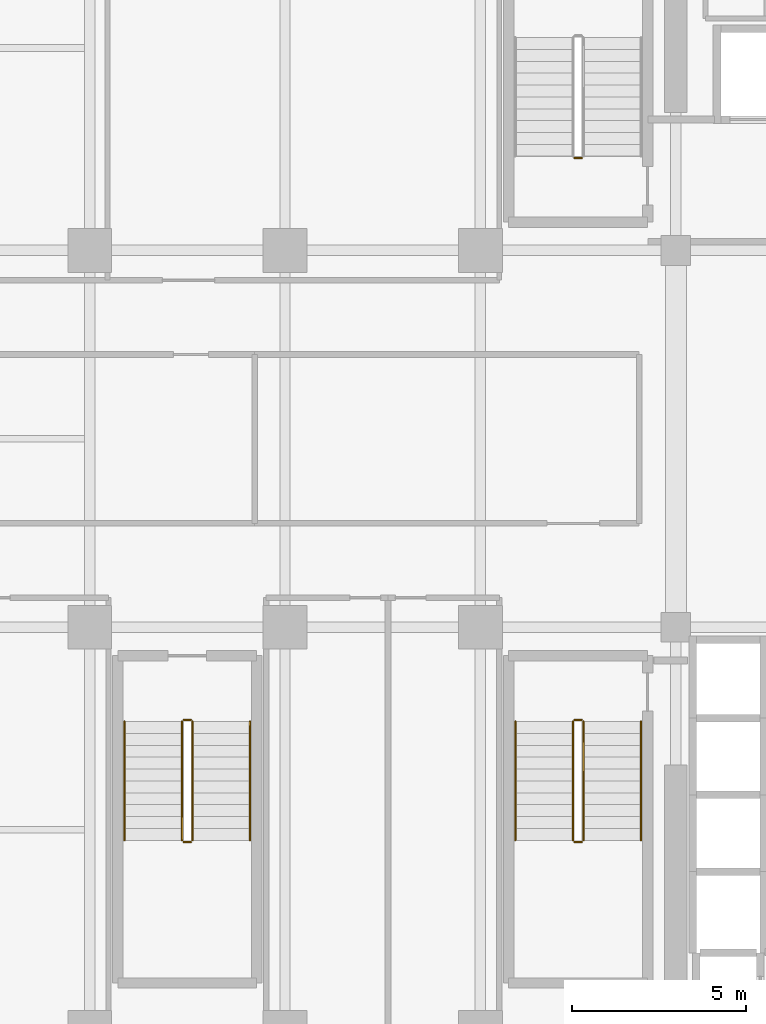
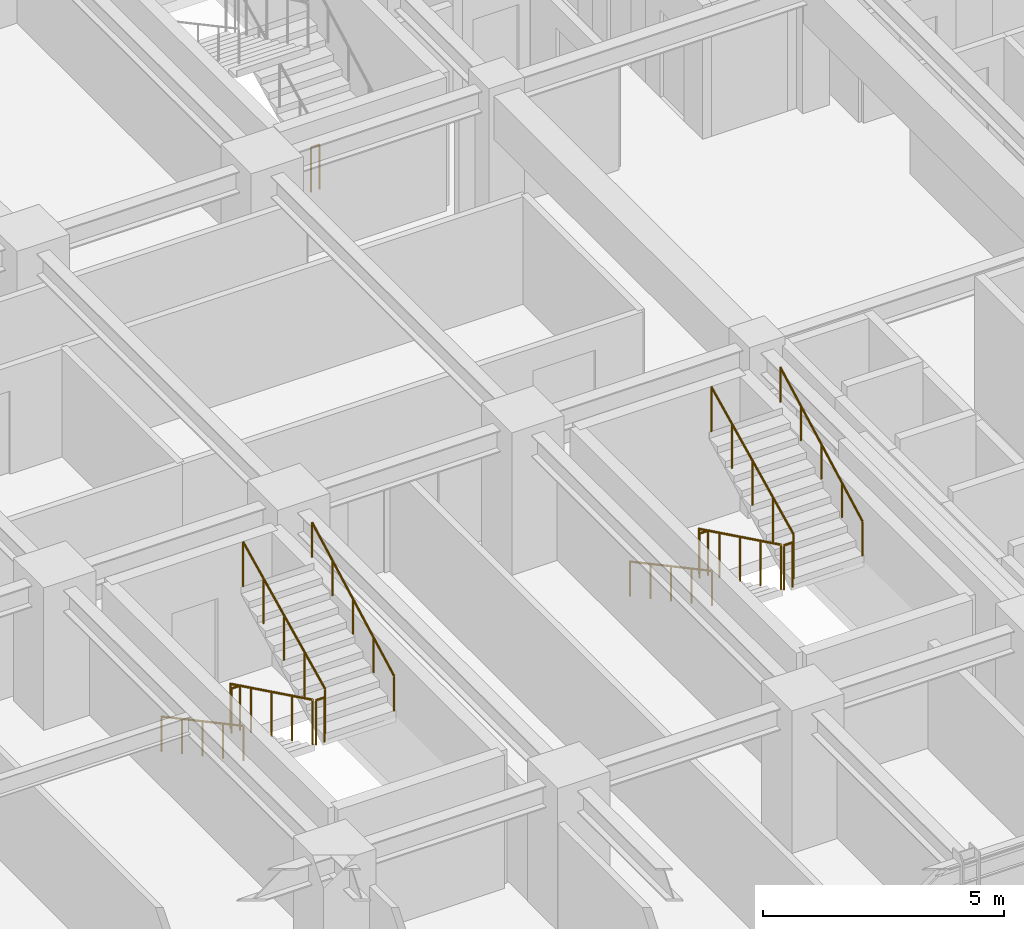
# One storey, part 38 of 41: 13 railings.
"""IFC4 building model written with IfcOpenShell, lengths in metres."""

from ifc_helpers import new_model, si_unit, direction, frame, origin, origin_2d, place, context, subcontext, project, spatial, circle, extrude, material, type_object, element, save


model = new_model("IFC4")

# Units and contexts
model_context = context("Model", 3, precision=1e-05, world=origin(), true_north=direction((0.0, 1.0)))
body_context = subcontext(model_context, "Body", "Model", "MODEL_VIEW")
ifc_project = project(units=[si_unit("LENGTHUNIT", "METRE"), si_unit("AREAUNIT", "SQUARE_METRE"), si_unit("VOLUMEUNIT", "CUBIC_METRE"), si_unit("PLANEANGLEUNIT", "RADIAN"), si_unit("MASSUNIT", "GRAM", prefix="KILO")], contexts=[model_context])

# Site, building, storey
site_placement = place(None, origin())
site = spatial("IfcSite", under=ifc_project, at=site_placement, CompositionType="ELEMENT")
building_placement = place(site_placement, origin())
building = spatial("IfcBuilding", under=site, at=building_placement, Name="Nahalor Promenade Grand Hotel", CompositionType="ELEMENT")
storey_placement = place(building_placement, frame((0.0, 0.0, 113.85009765625)))
storey = spatial("IfcBuildingStorey", under=building, at=storey_placement, Name="L28", CompositionType="ELEMENT", Elevation=113.85009765625)

# Railings
ifc_material = material(Name="Steel S355JR", Category="steel")
railing_type_1 = type_object("IfcRailingType", Name="Steel Stair Guardrail 1150 mm", PredefinedType="GUARDRAIL", material=ifc_material)
railing_1_placement = place(storey_placement, frame((5.699951171875, 8.050048828125, 0.0)))
element("IfcRailing", 1, at=railing_1_placement, inside=storey, type_object=railing_type_1, Name="L28 ST1 stair guard 4", PredefinedType="GUARDRAIL", context=body_context, shape_type="SweptSolid", body=[
    extrude(circle(Radius=0.024048, at=origin_2d()), frame((0.0, 0.0, 1.1259765625), z_axis=(-1.0, 0.0, 0.0), x_axis=(0.0, -1.0, 0.0)), (0.0, 0.0, 1.0), 0.199951171875),
    extrude(circle(Radius=0.020996, at=origin_2d()), origin(), (0.0, 0.0, 1.0), 1.099853515625),
    extrude(circle(Radius=0.020996, at=origin_2d()), frame((-0.199951171875, 0.0, 0.0)), (0.0, 0.0, 1.0), 1.099853515625),
])
railing_2_placement = place(storey_placement, frame((5.449951171875, -8.10009765625, 0.165771484375)))
element("IfcRailing", 2, at=railing_2_placement, inside=storey, type_object=railing_type_1, Name="L28 ST2 stair guard 1", PredefinedType="GUARDRAIL", context=body_context, shape_type="SweptSolid", body=[
    extrude(circle(Radius=0.024048, at=origin_2d()), frame((0.0, 0.0, 1.1259765625), z_axis=(0.0, -0.898696488221, 0.438571114028), x_axis=(1.0, 0.0, 0.0)), (0.0, 0.0, 1.0), 3.783203125),
    extrude(circle(Radius=0.020996, at=origin_2d()), origin(), (0.0, 0.0, 1.0), 1.099853515625),
    extrude(circle(Radius=0.020996, at=origin_2d()), frame((0.0, -0.85009765625, 0.414794921875)), (0.0, 0.0, 1.0), 1.099853515625),
    extrude(circle(Radius=0.020996, at=origin_2d()), frame((0.0, -1.699951171875, 0.82958984375)), (0.0, 0.0, 1.0), 1.099853515625),
    extrude(circle(Radius=0.020996, at=origin_2d()), frame((0.0, -2.5498046875, 1.244384765625)), (0.0, 0.0, 1.0), 1.099853515625),
    extrude(circle(Radius=0.020996, at=origin_2d()), frame((0.0, -3.39990234375, 1.6591796875)), (0.0, 0.0, 1.0), 1.099853515625),
])
railing_3_placement = place(storey_placement, frame((5.5, -11.550048828125, 1.824951171875)))
element("IfcRailing", 3, at=railing_3_placement, inside=storey, type_object=railing_type_1, Name="L28 ST2 stair guard 2", PredefinedType="GUARDRAIL", context=body_context, shape_type="SweptSolid", body=[
    extrude(circle(Radius=0.024048, at=origin_2d()), frame((0.0, 0.0, 1.1259765625), z_axis=(1.0, 0.0, 0.0), x_axis=(0.0, 1.0, 0.0)), (0.0, 0.0, 1.0), 0.199951171875),
    extrude(circle(Radius=0.020996, at=origin_2d()), origin(), (0.0, 0.0, 1.0), 1.099853515625),
    extrude(circle(Radius=0.020996, at=origin_2d()), frame((0.199951171875, 0.0, 0.0)), (0.0, 0.0, 1.0), 1.099853515625),
])
railing_4_placement = place(storey_placement, frame((5.75, -11.5, 1.99072265625)))
element("IfcRailing", 4, at=railing_4_placement, inside=storey, type_object=railing_type_1, Name="L28 ST2 stair guard 3", PredefinedType="GUARDRAIL", context=body_context, shape_type="SweptSolid", body=[
    extrude(circle(Radius=0.024048, at=origin_2d()), frame((0.0, 0.0, 1.1259765625), z_axis=(0.0, 0.898696488221, 0.438571114028), x_axis=(-1.0, 0.0, 0.0)), (0.0, 0.0, 1.0), 3.783203125),
    extrude(circle(Radius=0.020996, at=origin_2d()), origin(), (0.0, 0.0, 1.0), 1.099853515625),
    extrude(circle(Radius=0.020996, at=origin_2d()), frame((0.0, 0.85009765625, 0.414794921875)), (0.0, 0.0, 1.0), 1.099853515625),
    extrude(circle(Radius=0.020996, at=origin_2d()), frame((0.0, 1.699951171875, 0.82958984375)), (0.0, 0.0, 1.0), 1.099853515625),
    extrude(circle(Radius=0.020996, at=origin_2d()), frame((0.0, 2.5498046875, 1.244384765625)), (0.0, 0.0, 1.0), 1.099853515625),
    extrude(circle(Radius=0.020996, at=origin_2d()), frame((0.0, 3.39990234375, 1.6591796875)), (0.0, 0.0, 1.0), 1.099853515625),
])
railing_5_placement = place(storey_placement, frame((5.5, -8.050048828125, 0.0)))
element("IfcRailing", 5, at=railing_5_placement, inside=storey, type_object=railing_type_1, Name="L28 ST2 stair guard 4", PredefinedType="GUARDRAIL", context=body_context, shape_type="SweptSolid", body=[
    extrude(circle(Radius=0.024048, at=origin_2d()), frame((0.0, 0.0, 1.1259765625), z_axis=(1.0, 0.0, 0.0), x_axis=(0.0, 1.0, 0.0)), (0.0, 0.0, 1.0), 0.199951171875),
    extrude(circle(Radius=0.020996, at=origin_2d()), origin(), (0.0, 0.0, 1.0), 1.099853515625),
    extrude(circle(Radius=0.020996, at=origin_2d()), frame((0.199951171875, 0.0, 0.0)), (0.0, 0.0, 1.0), 1.099853515625),
])
railing_6_placement = place(storey_placement, frame((-5.75, -8.10009765625, 0.165771484375)))
element("IfcRailing", 6, at=railing_6_placement, inside=storey, type_object=railing_type_1, Name="L28 ST3 stair guard 1", PredefinedType="GUARDRAIL", context=body_context, shape_type="SweptSolid", body=[
    extrude(circle(Radius=0.024048, at=origin_2d()), frame((0.0, 0.0, 1.1259765625), z_axis=(0.0, -0.898696488221, 0.438571114028), x_axis=(1.0, 0.0, 0.0)), (0.0, 0.0, 1.0), 3.783203125),
    extrude(circle(Radius=0.020996, at=origin_2d()), origin(), (0.0, 0.0, 1.0), 1.099853515625),
    extrude(circle(Radius=0.020996, at=origin_2d()), frame((0.0, -0.85009765625, 0.414794921875)), (0.0, 0.0, 1.0), 1.099853515625),
    extrude(circle(Radius=0.020996, at=origin_2d()), frame((0.0, -1.699951171875, 0.82958984375)), (0.0, 0.0, 1.0), 1.099853515625),
    extrude(circle(Radius=0.020996, at=origin_2d()), frame((0.0, -2.5498046875, 1.244384765625)), (0.0, 0.0, 1.0), 1.099853515625),
    extrude(circle(Radius=0.020996, at=origin_2d()), frame((0.0, -3.39990234375, 1.6591796875)), (0.0, 0.0, 1.0), 1.099853515625),
])
railing_7_placement = place(storey_placement, frame((-5.699951171875, -11.550048828125, 1.824951171875)))
element("IfcRailing", 7, at=railing_7_placement, inside=storey, type_object=railing_type_1, Name="L28 ST3 stair guard 2", PredefinedType="GUARDRAIL", context=body_context, shape_type="SweptSolid", body=[
    extrude(circle(Radius=0.024048, at=origin_2d()), frame((0.0, 0.0, 1.1259765625), z_axis=(1.0, 0.0, 0.0), x_axis=(0.0, 1.0, 0.0)), (0.0, 0.0, 1.0), 0.199951171875),
    extrude(circle(Radius=0.020996, at=origin_2d()), origin(), (0.0, 0.0, 1.0), 1.099853515625),
    extrude(circle(Radius=0.020996, at=origin_2d()), frame((0.199951171875, 0.0, 0.0)), (0.0, 0.0, 1.0), 1.099853515625),
])
railing_8_placement = place(storey_placement, frame((-5.449951171875, -11.5, 1.99072265625)))
element("IfcRailing", 8, at=railing_8_placement, inside=storey, type_object=railing_type_1, Name="L28 ST3 stair guard 3", PredefinedType="GUARDRAIL", context=body_context, shape_type="SweptSolid", body=[
    extrude(circle(Radius=0.024048, at=origin_2d()), frame((0.0, 0.0, 1.1259765625), z_axis=(0.0, 0.898696488221, 0.438571114028), x_axis=(-1.0, 0.0, 0.0)), (0.0, 0.0, 1.0), 3.783203125),
    extrude(circle(Radius=0.020996, at=origin_2d()), origin(), (0.0, 0.0, 1.0), 1.099853515625),
    extrude(circle(Radius=0.020996, at=origin_2d()), frame((0.0, 0.85009765625, 0.414794921875)), (0.0, 0.0, 1.0), 1.099853515625),
    extrude(circle(Radius=0.020996, at=origin_2d()), frame((0.0, 1.699951171875, 0.82958984375)), (0.0, 0.0, 1.0), 1.099853515625),
    extrude(circle(Radius=0.020996, at=origin_2d()), frame((0.0, 2.5498046875, 1.244384765625)), (0.0, 0.0, 1.0), 1.099853515625),
    extrude(circle(Radius=0.020996, at=origin_2d()), frame((0.0, 3.39990234375, 1.6591796875)), (0.0, 0.0, 1.0), 1.099853515625),
])
railing_9_placement = place(storey_placement, frame((-5.699951171875, -8.050048828125, 0.0)))
element("IfcRailing", 9, at=railing_9_placement, inside=storey, type_object=railing_type_1, Name="L28 ST3 stair guard 4", PredefinedType="GUARDRAIL", context=body_context, shape_type="SweptSolid", body=[
    extrude(circle(Radius=0.024048, at=origin_2d()), frame((0.0, 0.0, 1.1259765625), z_axis=(1.0, 0.0, 0.0), x_axis=(0.0, 1.0, 0.0)), (0.0, 0.0, 1.0), 0.199951171875),
    extrude(circle(Radius=0.020996, at=origin_2d()), origin(), (0.0, 0.0, 1.0), 1.099853515625),
    extrude(circle(Radius=0.020996, at=origin_2d()), frame((0.199951171875, 0.0, 0.0)), (0.0, 0.0, 1.0), 1.099853515625),
])
railing_type_2 = type_object("IfcRailingType", Name="Steel Stair Handrail 900 mm", PredefinedType="HANDRAIL", material=ifc_material)
railing_10_placement = place(storey_placement, frame((3.800048828125, -8.10009765625, 0.165771484375)))
element("IfcRailing", 10, at=railing_10_placement, inside=storey, type_object=railing_type_2, Name="L28 ST2 stair handrail 1", PredefinedType="HANDRAIL", context=body_context, shape_type="SweptSolid", body=[
    extrude(circle(Radius=0.024048, at=origin_2d()), frame((0.0, 0.0, 0.8759765625), z_axis=(0.0, -0.881094038095, 0.47294111265), x_axis=(1.0, 0.0, 0.0)), (0.0, 0.0, 1.0), 3.858642578125),
    extrude(circle(Radius=0.020996, at=origin_2d()), origin(), (0.0, 0.0, 1.0), 0.849853515625),
    extrude(circle(Radius=0.020996, at=origin_2d()), frame((0.0, -0.85009765625, 0.456298828125)), (0.0, 0.0, 1.0), 0.849853515625),
    extrude(circle(Radius=0.020996, at=origin_2d()), frame((0.0, -1.699951171875, 0.91259765625)), (0.0, 0.0, 1.0), 0.849853515625),
    extrude(circle(Radius=0.020996, at=origin_2d()), frame((0.0, -2.5498046875, 1.36865234375)), (0.0, 0.0, 1.0), 0.849853515625),
    extrude(circle(Radius=0.020996, at=origin_2d()), frame((0.0, -3.39990234375, 1.824951171875)), (0.0, 0.0, 1.0), 0.849853515625),
])
railing_11_placement = place(storey_placement, frame((7.39990234375, -11.5, 1.99072265625)))
element("IfcRailing", 11, at=railing_11_placement, inside=storey, type_object=railing_type_2, Name="L28 ST2 stair handrail 2", PredefinedType="HANDRAIL", context=body_context, shape_type="SweptSolid", body=[
    extrude(circle(Radius=0.024048, at=origin_2d()), frame((0.0, 0.0, 0.8759765625), z_axis=(0.0, 0.881067672671, 0.472990228413), x_axis=(-1.0, 0.0, 0.0)), (0.0, 0.0, 1.0), 3.85888671875),
    extrude(circle(Radius=0.020996, at=origin_2d()), origin(), (0.0, 0.0, 1.0), 0.849853515625),
    extrude(circle(Radius=0.020996, at=origin_2d()), frame((0.0, 0.85009765625, 0.456298828125)), (0.0, 0.0, 1.0), 0.849853515625),
    extrude(circle(Radius=0.020996, at=origin_2d()), frame((0.0, 1.699951171875, 0.91259765625)), (0.0, 0.0, 1.0), 0.849853515625),
    extrude(circle(Radius=0.020996, at=origin_2d()), frame((0.0, 2.5498046875, 1.368896484375)), (0.0, 0.0, 1.0), 0.849853515625),
    extrude(circle(Radius=0.020996, at=origin_2d()), frame((0.0, 3.39990234375, 1.8251953125)), (0.0, 0.0, 1.0), 0.849853515625),
])
railing_12_placement = place(storey_placement, frame((-7.39990234375, -8.10009765625, 0.165771484375)))
element("IfcRailing", 12, at=railing_12_placement, inside=storey, type_object=railing_type_2, Name="L28 ST3 stair handrail 1", PredefinedType="HANDRAIL", context=body_context, shape_type="SweptSolid", body=[
    extrude(circle(Radius=0.024048, at=origin_2d()), frame((0.0, 0.0, 0.8759765625), z_axis=(0.0, -0.881094038095, 0.47294111265), x_axis=(1.0, 0.0, 0.0)), (0.0, 0.0, 1.0), 3.858642578125),
    extrude(circle(Radius=0.020996, at=origin_2d()), origin(), (0.0, 0.0, 1.0), 0.849853515625),
    extrude(circle(Radius=0.020996, at=origin_2d()), frame((0.0, -0.85009765625, 0.456298828125)), (0.0, 0.0, 1.0), 0.849853515625),
    extrude(circle(Radius=0.020996, at=origin_2d()), frame((0.0, -1.699951171875, 0.91259765625)), (0.0, 0.0, 1.0), 0.849853515625),
    extrude(circle(Radius=0.020996, at=origin_2d()), frame((0.0, -2.5498046875, 1.36865234375)), (0.0, 0.0, 1.0), 0.849853515625),
    extrude(circle(Radius=0.020996, at=origin_2d()), frame((0.0, -3.39990234375, 1.824951171875)), (0.0, 0.0, 1.0), 0.849853515625),
])
railing_13_placement = place(storey_placement, frame((-3.800048828125, -11.5, 1.99072265625)))
element("IfcRailing", 13, at=railing_13_placement, inside=storey, type_object=railing_type_2, Name="L28 ST3 stair handrail 2", PredefinedType="HANDRAIL", context=body_context, shape_type="SweptSolid", body=[
    extrude(circle(Radius=0.024048, at=origin_2d()), frame((0.0, 0.0, 0.8759765625), z_axis=(0.0, 0.881067672671, 0.472990228413), x_axis=(-1.0, 0.0, 0.0)), (0.0, 0.0, 1.0), 3.85888671875),
    extrude(circle(Radius=0.020996, at=origin_2d()), origin(), (0.0, 0.0, 1.0), 0.849853515625),
    extrude(circle(Radius=0.020996, at=origin_2d()), frame((0.0, 0.85009765625, 0.456298828125)), (0.0, 0.0, 1.0), 0.849853515625),
    extrude(circle(Radius=0.020996, at=origin_2d()), frame((0.0, 1.699951171875, 0.91259765625)), (0.0, 0.0, 1.0), 0.849853515625),
    extrude(circle(Radius=0.020996, at=origin_2d()), frame((0.0, 2.5498046875, 1.368896484375)), (0.0, 0.0, 1.0), 0.849853515625),
    extrude(circle(Radius=0.020996, at=origin_2d()), frame((0.0, 3.39990234375, 1.8251953125)), (0.0, 0.0, 1.0), 0.849853515625),
])

save(model, "model.ifc")
